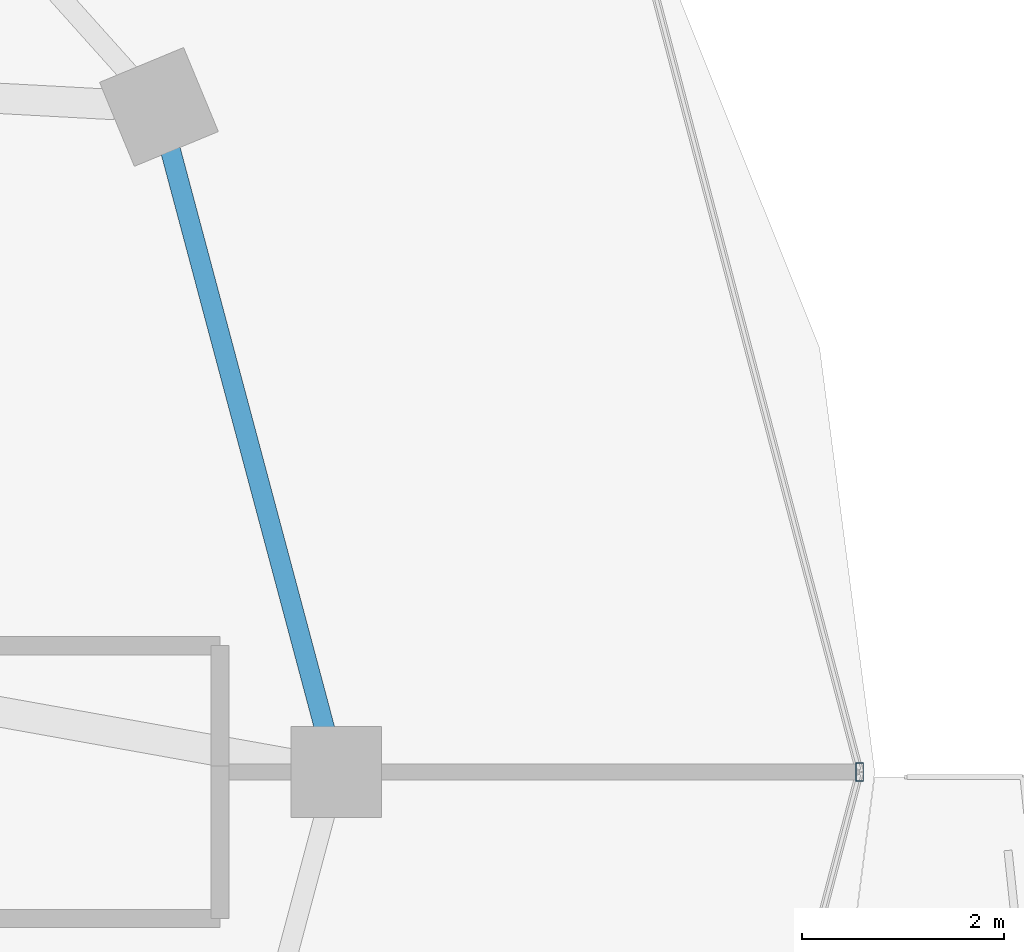
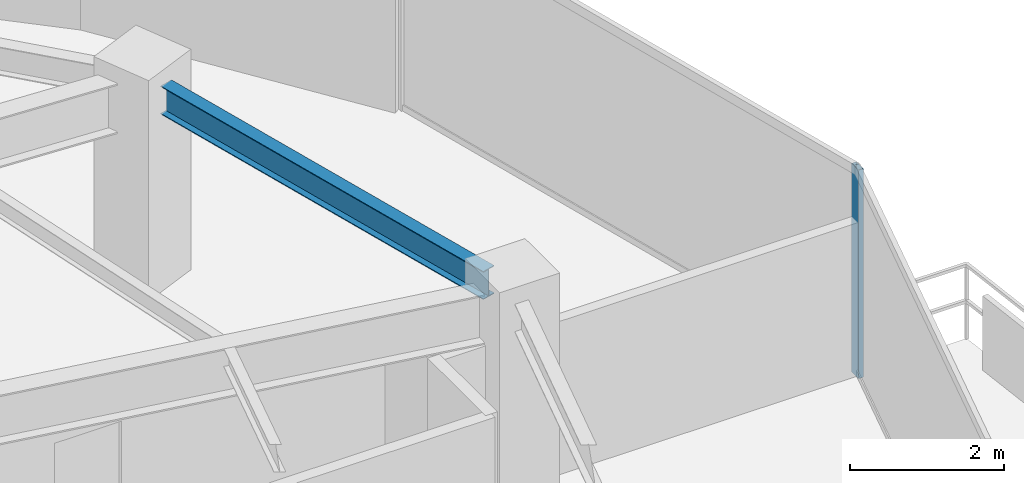
# One storey, part 15 of 33: 1 beam, 1 member, 1 element without a shape of its own.
"""IFC4 building model written with IfcOpenShell, lengths in metres."""

from ifc_helpers import new_model, si_unit, direction, frame, origin, origin_2d, place, context, subcontext, project, spatial, hollow_rectangle, i_section, extrude, material, material_profile, profile_set, type_object, element, aggregate, save


model = new_model("IFC4")

# Units and contexts
model_context = context("Model", 3, precision=1e-05, world=origin(), true_north=direction((0.0, 1.0)))
body_context = subcontext(model_context, "Body", "Model", "MODEL_VIEW")
ifc_project = project(units=[si_unit("LENGTHUNIT", "METRE"), si_unit("AREAUNIT", "SQUARE_METRE"), si_unit("VOLUMEUNIT", "CUBIC_METRE"), si_unit("PLANEANGLEUNIT", "RADIAN"), si_unit("MASSUNIT", "GRAM", prefix="KILO")], contexts=[model_context])

# Site, building, storey
site_placement = place(None, origin())
site = spatial("IfcSite", under=ifc_project, at=site_placement, CompositionType="ELEMENT")
building_placement = place(site_placement, origin())
building = spatial("IfcBuilding", under=site, at=building_placement, Name="Vorneva Point Tower", CompositionType="ELEMENT")
storey_placement = place(building_placement, frame((0.0, 0.0, 189.60009765625)))
storey = spatial("IfcBuildingStorey", under=building, at=storey_placement, Name="L51", CompositionType="ELEMENT", Elevation=189.60009765625)

# Beam
ifc_material_1 = material(Name="Steel S355", Category="steel")
ifc_material_profile_1 = material_profile(ifc_material_1, i_section(OverallWidth=0.198974609375, OverallDepth=0.446044921875, WebThickness=0.008056640625, FlangeThickness=0.011962890625, at=origin_2d()), Name="45B1")
ifc_profile_set_1 = profile_set([ifc_material_profile_1], Name="Steel S355")
beam_type = type_object("IfcBeamType", Name="BM-SPN-45B1", PredefinedType="SPANDREL", material=ifc_profile_set_1)
beam_placement = place(storey_placement, frame((60.93798828125, 26.42041015625, 3.016845703125), z_axis=(-0.257578258003, 0.966257440336, 0.0), x_axis=(-0.966257440336, -0.257578258003, 0.0)))
element("IfcBeam", 1, at=beam_placement, inside=storey, type_object=beam_type, Name="L51 Perimeter Spandrel Ring Beam 01", PredefinedType="SPANDREL", context=body_context, shape_type="SweptSolid", body=[
    extrude(i_section(OverallWidth=0.198974609375, OverallDepth=0.446044921875, WebThickness=0.008056640625, FlangeThickness=0.011962890625, at=origin_2d()), origin(), (0.0, 0.0, 1.0), 5.94189453125),
])

# Curtain wall, member
ifc_material_2 = material(Name="Pale anodised aluminium", Category="aluminium")
curtain_wall_type = type_object("IfcCurtainWallType", Name="CW-RES-SYS", PredefinedType="NOTDEFINED", material=ifc_material_2)
curtain_wall_placement = place(storey_placement, origin())
curtain_wall = element("IfcCurtainWall", 2, at=curtain_wall_placement, inside=storey, type_object=curtain_wall_type, Name="L51 Unitised Curtain Wall CW-L51-R01", PredefinedType="NOTDEFINED")
ifc_material_profile_2 = material_profile(ifc_material_2, hollow_rectangle(XDim=0.074951171875, YDim=0.179931640625, WallThickness=0.00390625, at=origin_2d()), Name="AL-MUL 180x75x4")
ifc_profile_set_2 = profile_set([ifc_material_profile_2], Name="Pale anodised aluminium")
member_type = type_object("IfcMemberType", Name="CW-MUL-180", PredefinedType="MULLION", material=ifc_profile_set_2)
member_placement = place(storey_placement, frame((66.22998046875, 26.0, -0.0400390625), z_axis=(0.0, 0.0, 1.0), x_axis=(1.0, 0.0, 0.0)))
member = element("IfcMember", 3, at=member_placement, type_object=member_type, Name="CW-L51-R01 Mullion 02", PredefinedType="MULLION", context=body_context, shape_type="SweptSolid", body=[
    extrude(hollow_rectangle(XDim=0.074951171875, YDim=0.179931640625, WallThickness=0.00390625, at=origin_2d()), origin(), (0.0, 0.0, 1.0), 3.31005859375),
])
aggregate(curtain_wall, [member])

save(model, "model.ifc")
